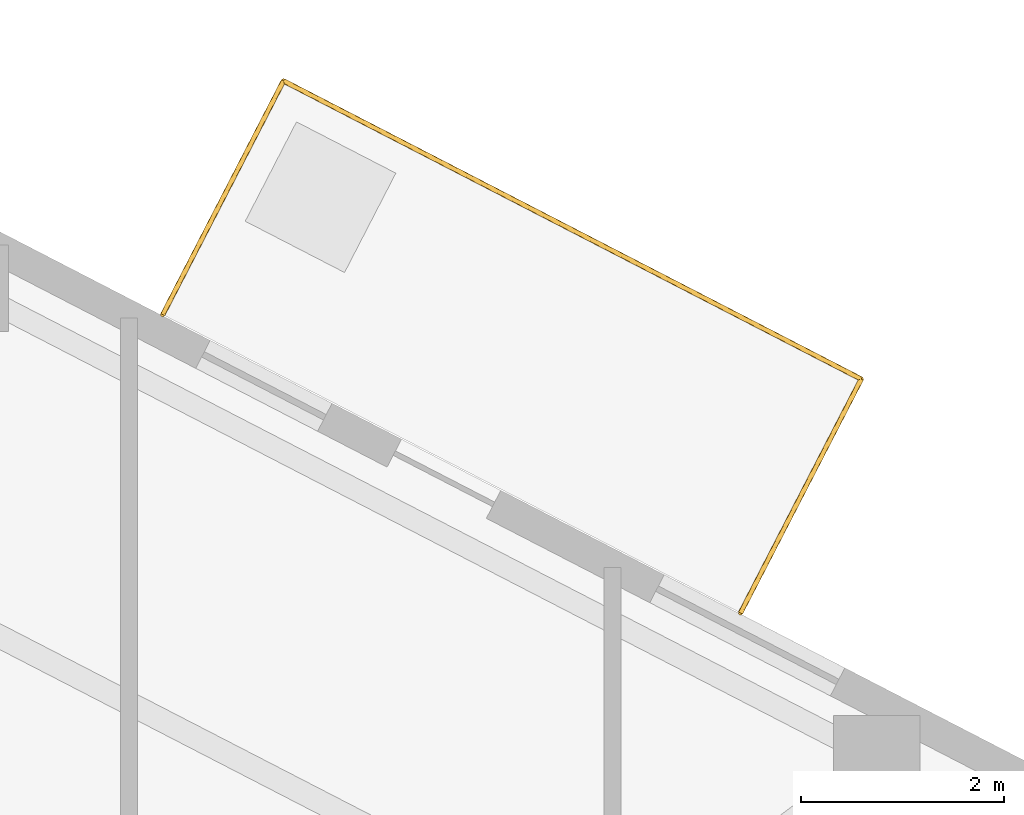
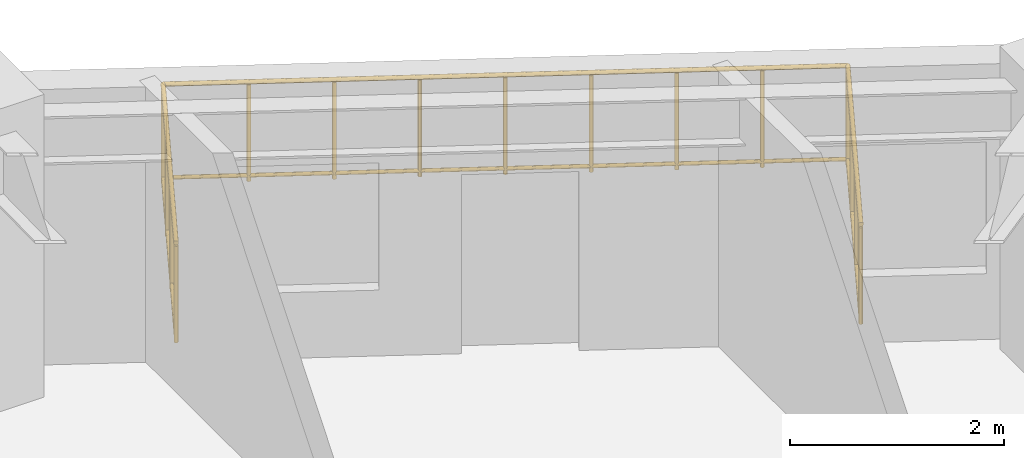
# One storey, part 8 of 8: 1 railing.
"""IFC4 building model written with IfcOpenShell, lengths in metres."""

from ifc_helpers import new_model, si_unit, direction, frame, origin, origin_2d, place, context, subcontext, project, spatial, circle, extrude, material, type_object, element, save


model = new_model("IFC4")

# Units and contexts
model_context = context("Model", 3, precision=1e-05, world=origin(), true_north=direction((0.0, 1.0)))
body_context = subcontext(model_context, "Body", "Model", "MODEL_VIEW")
ifc_project = project(units=[si_unit("LENGTHUNIT", "METRE"), si_unit("AREAUNIT", "SQUARE_METRE"), si_unit("VOLUMEUNIT", "CUBIC_METRE"), si_unit("PLANEANGLEUNIT", "RADIAN"), si_unit("MASSUNIT", "GRAM", prefix="KILO"), si_unit("THERMODYNAMICTEMPERATUREUNIT", "KELVIN"), si_unit("POWERUNIT", "WATT")], contexts=[model_context])

# Site, building, storey
site_placement = place(None, origin())
site = spatial("IfcSite", under=ifc_project, at=site_placement, CompositionType="ELEMENT")
building_placement = place(site_placement, origin())
building = spatial("IfcBuilding", under=site, at=building_placement, Name="Skarre Station Tower", CompositionType="ELEMENT")
storey_placement = place(building_placement, frame((0.0, 0.0, 187.800048828125)))
storey = spatial("IfcBuildingStorey", under=building, at=storey_placement, Name="L51", CompositionType="ELEMENT", Elevation=187.800048828125)

# Railing
ifc_material = material(Name="Stainless Steel Grade 316L & Laminated Safety Glass", Category="steel")
railing_type = type_object("IfcRailingType", Name="Laminated Glass & Stainless Terrace Guardrail 1150", PredefinedType="BALUSTRADE", material=ifc_material)
railing_placement = place(storey_placement, frame((47.23388671875, 37.69091796875, 0.0)))
element("IfcRailing", 1, at=railing_placement, inside=storey, type_object=railing_type, Name="L51 TB-L51-F0 Tree-Balcony Guardrail", PredefinedType="BALUSTRADE", context=body_context, shape_type="SweptSolid", body=[
    extrude(circle(Radius=0.02392578125, at=origin_2d()), frame((0.0, 0.0, 1.1259765625), z_axis=(0.458674126871, 0.88860454947, 0.0), x_axis=(-0.88860454947, 0.458674126871, 0.0)), (0.0, 0.0, 1.0), 2.590576171875),
    extrude(circle(Radius=0.02099609375, at=origin_2d()), frame((0.0, 0.0, 0.06005859375), z_axis=(0.458674126871, 0.88860454947, 0.0), x_axis=(-0.88860454947, 0.458674126871, 0.0)), (0.0, 0.0, 1.0), 2.590576171875),
    extrude(circle(Radius=0.02392578125, at=origin_2d()), frame((1.188232421875, 2.302001953125, 1.1259765625), z_axis=(-0.888631690717, 0.458621541418, 0.0), x_axis=(-0.458621541418, -0.888631690717, 0.0)), (0.0, 0.0, 1.0), 6.399658203125),
    extrude(circle(Radius=0.02099609375, at=origin_2d()), frame((1.188232421875, 2.302001953125, 0.06005859375), z_axis=(-0.888631690717, 0.458621541418, 0.0), x_axis=(-0.458621541418, -0.888631690717, 0.0)), (0.0, 0.0, 1.0), 6.399658203125),
    extrude(circle(Radius=0.02392578125, at=origin_2d()), frame((-4.498779296875, 5.237060546875, 1.1259765625), z_axis=(-0.458753384133, -0.888563634495, 0.0), x_axis=(0.888563634495, -0.458753384133, 0.0)), (0.0, 0.0, 1.0), 2.589599609375),
    extrude(circle(Radius=0.02099609375, at=origin_2d()), frame((-4.498779296875, 5.237060546875, 0.06005859375), z_axis=(-0.458753384133, -0.888563634495, 0.0), x_axis=(0.888563634495, -0.458753384133, 0.0)), (0.0, 0.0, 1.0), 2.589599609375),
    extrude(circle(Radius=0.02099609375, at=origin_2d()), origin(), (0.0, 0.0, 1.0), 1.101806640625),
    extrude(circle(Radius=0.02099609375, at=origin_2d()), frame((0.39599609375, 0.767333984375, 0.0)), (0.0, 0.0, 1.0), 1.101806640625),
    extrude(circle(Radius=0.02099609375, at=origin_2d()), frame((0.792236328125, 1.53466796875, 0.0)), (0.0, 0.0, 1.0), 1.101806640625),
    extrude(circle(Radius=0.02099609375, at=origin_2d()), frame((1.188232421875, 2.302001953125, 0.0)), (0.0, 0.0, 1.0), 1.101806640625),
    extrude(circle(Radius=0.02099609375, at=origin_2d()), frame((0.477294921875, 2.6689453125, 0.0)), (0.0, 0.0, 1.0), 1.101806640625),
    extrude(circle(Radius=0.02099609375, at=origin_2d()), frame((-0.2333984375, 3.03564453125, 0.0)), (0.0, 0.0, 1.0), 1.101806640625),
    extrude(circle(Radius=0.02099609375, at=origin_2d()), frame((-0.9443359375, 3.402587890625, 0.0)), (0.0, 0.0, 1.0), 1.101806640625),
    extrude(circle(Radius=0.02099609375, at=origin_2d()), frame((-1.6552734375, 3.76953125, 0.0)), (0.0, 0.0, 1.0), 1.101806640625),
    extrude(circle(Radius=0.02099609375, at=origin_2d()), frame((-2.3662109375, 4.136474609375, 0.0)), (0.0, 0.0, 1.0), 1.101806640625),
    extrude(circle(Radius=0.02099609375, at=origin_2d()), frame((-3.0771484375, 4.50341796875, 0.0)), (0.0, 0.0, 1.0), 1.101806640625),
    extrude(circle(Radius=0.02099609375, at=origin_2d()), frame((-3.787841796875, 4.8701171875, 0.0)), (0.0, 0.0, 1.0), 1.101806640625),
    extrude(circle(Radius=0.02099609375, at=origin_2d()), frame((-4.498779296875, 5.237060546875, 0.0)), (0.0, 0.0, 1.0), 1.101806640625),
    extrude(circle(Radius=0.02099609375, at=origin_2d()), frame((-4.894775390625, 4.469970703125, 0.0)), (0.0, 0.0, 1.0), 1.101806640625),
    extrude(circle(Radius=0.02099609375, at=origin_2d()), frame((-5.290771484375, 3.703125, 0.0)), (0.0, 0.0, 1.0), 1.101806640625),
    extrude(circle(Radius=0.02099609375, at=origin_2d()), frame((-5.686767578125, 2.93603515625, 0.0)), (0.0, 0.0, 1.0), 1.101806640625),
])

save(model, "model.ifc")
